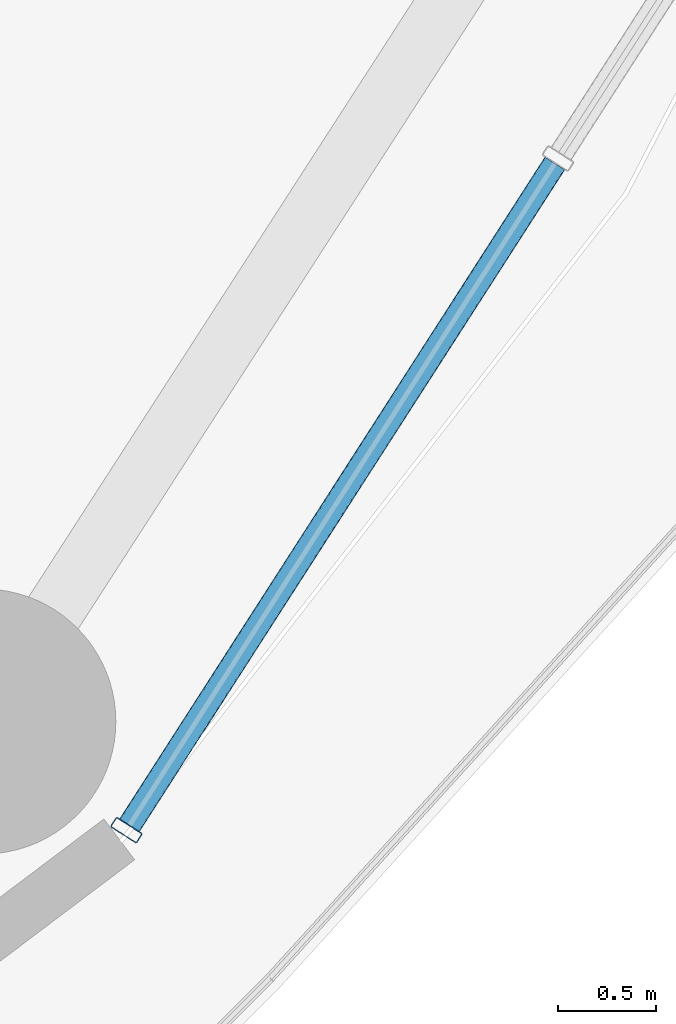
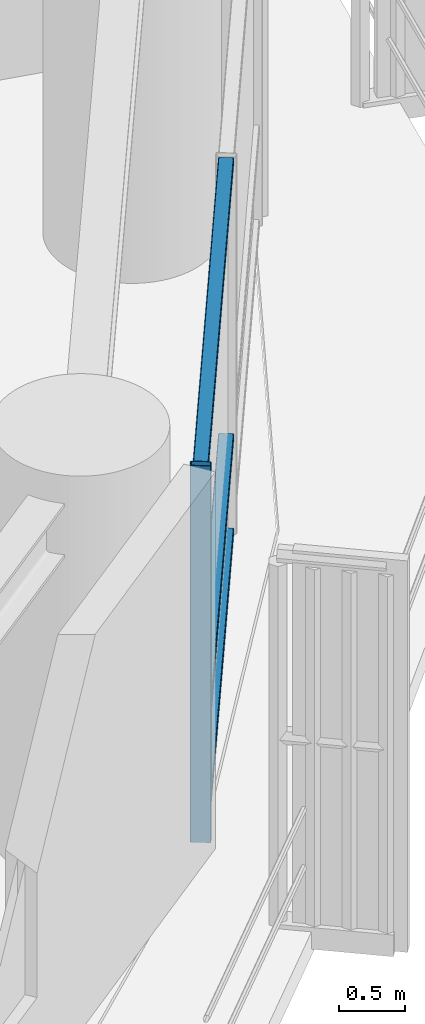
# One storey, part 12 of 35: 4 members, 1 element without a shape of its own.
"""IFC4 building model written with IfcOpenShell, lengths in metres."""

from ifc_helpers import new_model, si_unit, direction, frame, origin, origin_2d, place, context, subcontext, project, spatial, hollow_rectangle, extrude, material, layer, layer_set, material_profile, profile_set, type_object, element, aggregate, save


model = new_model("IFC4")

# Units and contexts
model_context = context("Model", 3, precision=1e-05, world=origin(), true_north=direction((0.0, 1.0)))
body_context = subcontext(model_context, "Body", "Model", "MODEL_VIEW")
ifc_project = project(units=[si_unit("LENGTHUNIT", "METRE"), si_unit("AREAUNIT", "SQUARE_METRE"), si_unit("VOLUMEUNIT", "CUBIC_METRE"), si_unit("PLANEANGLEUNIT", "RADIAN"), si_unit("MASSUNIT", "GRAM", prefix="KILO")], contexts=[model_context])

# Site, building, storey
site_placement = place(None, origin())
site = spatial("IfcSite", under=ifc_project, at=site_placement, CompositionType="ELEMENT")
building_placement = place(site_placement, origin())
building = spatial("IfcBuilding", under=site, at=building_placement, Name="Kelanora Arch Commons", CompositionType="ELEMENT")
storey_placement = place(building_placement, frame((0.0, 0.0, 117.60009765625)))
storey = spatial("IfcBuildingStorey", under=building, at=storey_placement, Name="L30", CompositionType="ELEMENT", Elevation=117.60009765625)

# Curtain wall, members
ifc_material_1 = material(Name="Terracotta ceramic-fritted low-E glass and aluminium", Category="masonry")
ifc_layer = layer(ifc_material_1, 0.159912109375)
ifc_layer_set = layer_set([ifc_layer], Name="Terracotta ceramic-fritted low-E glass and aluminium")
curtain_wall_type = type_object("IfcCurtainWallType", Name="CW-SYS-01", PredefinedType="NOTDEFINED", material=ifc_layer_set)
curtain_wall_placement = place(storey_placement, origin())
curtain_wall = element("IfcCurtainWall", 1, at=curtain_wall_placement, inside=storey, type_object=curtain_wall_type, Name="Unitised Curtain Wall L30-B16", PredefinedType="NOTDEFINED")
ifc_material_2 = material(Name="Powder-coated aluminium terracotta", Category="masonry")
ifc_material_profile_1 = material_profile(ifc_material_2, hollow_rectangle(XDim=0.159912109375, YDim=0.06005859375, WallThickness=0.0048828125, InnerFilletRadius=0.0048828125, OuterFilletRadius=0.010009765625, at=origin_2d()), Name="CWM160x60")
ifc_profile_set_1 = profile_set([ifc_material_profile_1], Name="Powder-coated aluminium terracotta")
member_type_1 = type_object("IfcMemberType", Name="CWM-STD", PredefinedType="MULLION", material=ifc_profile_set_1)
member_1_placement = place(storey_placement, frame((93.635009765625, 43.253662109375, 0.0), z_axis=(0.0, 0.0, 1.0), x_axis=(-0.841268883088, 0.540616931244, 0.0)))
member_1 = element("IfcMember", 2, at=member_1_placement, type_object=member_type_1, Name="CW-01 mullion 1", PredefinedType="MULLION", context=body_context, shape_type="SweptSolid", body=[
    extrude(hollow_rectangle(XDim=0.159912109375, YDim=0.06005859375, WallThickness=0.0048828125, InnerFilletRadius=0.0048828125, OuterFilletRadius=0.010009765625, at=origin_2d()), origin(), (0.0, 0.0, 1.0), 3.474853515625),
])
ifc_material_profile_2 = material_profile(ifc_material_2, hollow_rectangle(XDim=0.1201171875, YDim=0.06005859375, WallThickness=0.0048828125, InnerFilletRadius=0.0048828125, OuterFilletRadius=0.010009765625, at=origin_2d()), Name="CWT120x60")
ifc_profile_set_2 = profile_set([ifc_material_profile_2], Name="Powder-coated aluminium terracotta")
member_type_2 = type_object("IfcMemberType", Name="CWT-STD", PredefinedType="USERDEFINED", material=ifc_profile_set_2)
member_2_placement = place(storey_placement, frame((93.651123046875, 43.279052734375, 0.02978515625), z_axis=(0.540643629734, 0.841251725483, 0.0), x_axis=(-0.841251725483, 0.540643629734, 0.0)))
member_2 = element("IfcMember", 3, at=member_2_placement, type_object=member_type_2, Name="CW-01 transom 1.1", ObjectType="TRANSOM", PredefinedType="USERDEFINED", context=body_context, shape_type="SweptSolid", body=[
    extrude(hollow_rectangle(XDim=0.1201171875, YDim=0.06005859375, WallThickness=0.0048828125, InnerFilletRadius=0.0048828125, OuterFilletRadius=0.010009765625, at=origin_2d()), origin(), (0.0, 0.0, 1.0), 4.00634765625),
])
member_3_placement = place(storey_placement, frame((93.651123046875, 43.279052734375, 0.89990234375), z_axis=(0.540643629734, 0.841251725483, 0.0), x_axis=(-0.841251725483, 0.540643629734, 0.0)))
member_3 = element("IfcMember", 4, at=member_3_placement, type_object=member_type_2, Name="CW-01 transom 1.2", ObjectType="TRANSOM", PredefinedType="USERDEFINED", context=body_context, shape_type="SweptSolid", body=[
    extrude(hollow_rectangle(XDim=0.1201171875, YDim=0.06005859375, WallThickness=0.0048828125, InnerFilletRadius=0.0048828125, OuterFilletRadius=0.010009765625, at=origin_2d()), origin(), (0.0, 0.0, 1.0), 4.00634765625),
])
member_4_placement = place(storey_placement, frame((93.651123046875, 43.279052734375, 3.44482421875), z_axis=(0.540643629734, 0.841251725483, 0.0), x_axis=(-0.841251725483, 0.540643629734, 0.0)))
member_4 = element("IfcMember", 5, at=member_4_placement, type_object=member_type_2, Name="CW-01 transom 1.3", ObjectType="TRANSOM", PredefinedType="USERDEFINED", context=body_context, shape_type="SweptSolid", body=[
    extrude(hollow_rectangle(XDim=0.1201171875, YDim=0.06005859375, WallThickness=0.0048828125, InnerFilletRadius=0.0048828125, OuterFilletRadius=0.010009765625, at=origin_2d()), origin(), (0.0, 0.0, 1.0), 4.00634765625),
])
aggregate(curtain_wall, [member_1, member_2, member_3, member_4])

save(model, "model.ifc")
